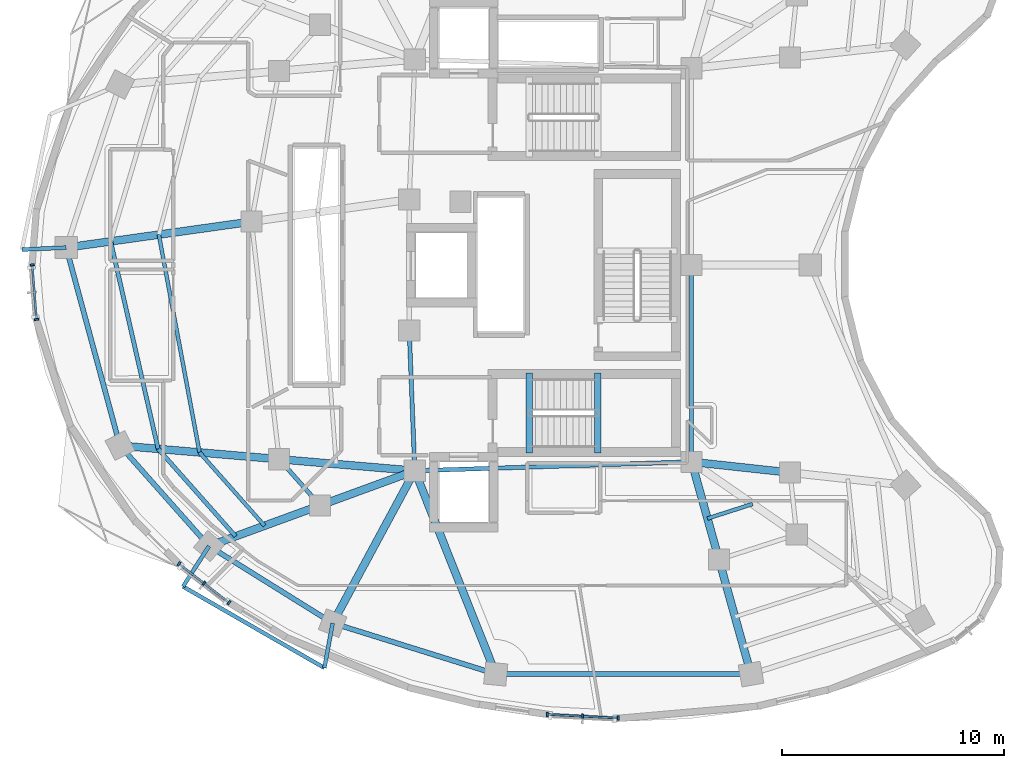
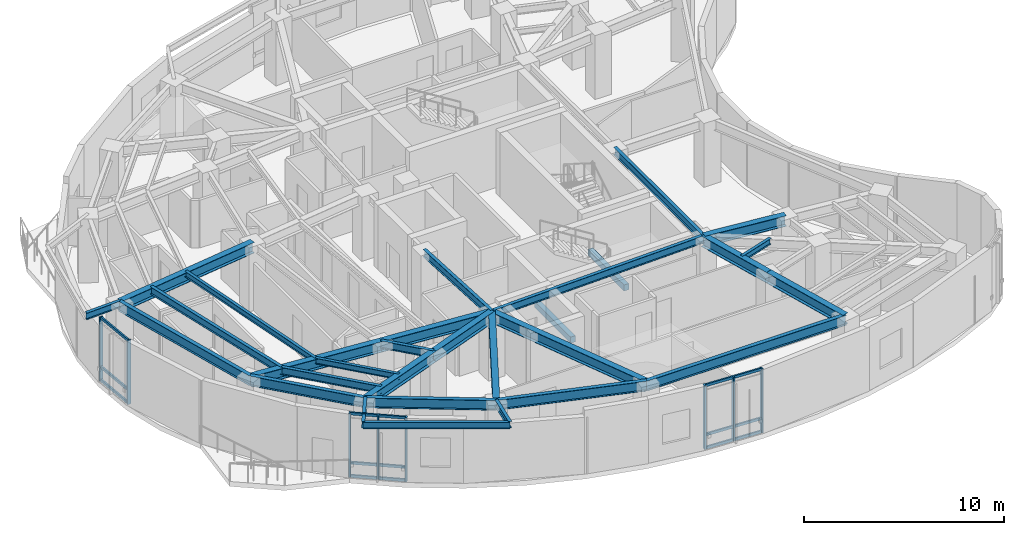
# One storey, part 2 of 13: 30 beams, 23 members, 3 elements without a shape of their own.
"""IFC4 building model written with IfcOpenShell, lengths in metres."""

from ifc_helpers import new_model, si_unit, direction, frame, origin, origin_2d, place, context, subcontext, project, spatial, rectangle, i_section, extrude, material, layer, layer_set, material_profile, profile_set, type_object, element, aggregate, save


model = new_model("IFC4")

# Units and contexts
model_context = context("Model", 3, precision=1e-05, world=origin(), true_north=direction((0.0, 1.0)))
body_context = subcontext(model_context, "Body", "Model", "MODEL_VIEW")
ifc_project = project(units=[si_unit("LENGTHUNIT", "METRE"), si_unit("AREAUNIT", "SQUARE_METRE"), si_unit("VOLUMEUNIT", "CUBIC_METRE"), si_unit("PLANEANGLEUNIT", "RADIAN"), si_unit("MASSUNIT", "GRAM", prefix="KILO")], contexts=[model_context])

# Site, building, storey
site_placement = place(None, origin())
site = spatial("IfcSite", under=ifc_project, at=site_placement, CompositionType="ELEMENT")
building_placement = place(site_placement, origin())
building = spatial("IfcBuilding", under=site, at=building_placement, Name="Korentha Bioscience Tower", CompositionType="ELEMENT")
storey_placement = place(building_placement, frame((0.0, 0.0, 183.60009765625)))
storey = spatial("IfcBuildingStorey", under=building, at=storey_placement, Name="L42", CompositionType="ELEMENT", Elevation=183.60009765625)

# Beams
ifc_material_1 = material(Name="Concrete C50", Category="concrete")
ifc_material_profile_1 = material_profile(ifc_material_1, rectangle(XDim=0.280029296875, YDim=0.3798828125, at=origin_2d()), Name="Concrete C50")
ifc_profile_set_1 = profile_set([ifc_material_profile_1], Name="Concrete C50 (ST-HB380)")
beam_type_1 = type_object("IfcBeamType", Name="Concrete Stair Header Beam RC 280x380", PredefinedType="BEAM", material=ifc_profile_set_1)
for number, where, z_axis, x_axis, name in (
    (1, (30.25, 18.550048828125, -0.190185546875), (0.0, 1.0, 0.0), (-1.0, 0.0, 0.0), "L42 ST-2 Concrete Stair Header Beam"),
    (2, (33.330078125, 18.550048828125, 1.909912109375), (0.0, 1.0, 0.0), (-1.0, 0.0, 0.0), "L42 ST-2 Half-Landing Header Beam 1"),
):
    element("IfcBeam", number, at=place(storey_placement, frame(where, z_axis=z_axis, x_axis=x_axis)), inside=storey, type_object=beam_type_1, Name=name, PredefinedType="BEAM", context=body_context, shape_type="SweptSolid", body=[
        extrude(rectangle(XDim=0.280029296875, YDim=0.3798828125, at=origin_2d()), origin(), (0.0, 0.0, 1.0), 3.599853515625),
    ])
ifc_material_2 = material(Name="Steel S355", Category="steel")
ifc_material_profile_2 = material_profile(ifc_material_2, i_section(OverallWidth=0.18994140625, OverallDepth=0.45703125, WebThickness=0.009033203125, FlangeThickness=0.014404296875, at=origin_2d()), Name="Steel S355")
ifc_profile_set_2 = profile_set([ifc_material_profile_2], Name="Steel S355 (MB-460)")
beam_type_2 = type_object("IfcBeamType", Name="Mid-Ring Tie Girder W460x74", PredefinedType="BEAM", material=ifc_profile_set_2)
beam_1_placement = place(storey_placement, frame((18.99951171875, 18.27001953125, 3.67138671875), z_axis=(0.663512238321, -0.748165429299, 0.0), x_axis=(0.748165429299, 0.663512238321, 0.0)))
element("IfcBeam", 3, at=beam_1_placement, inside=storey, type_object=beam_type_2, Name="L42 Mid-Ring Tie Girder 08", PredefinedType="BEAM", context=body_context, shape_type="SweptSolid", body=[
    extrude(i_section(OverallWidth=0.18994140625, OverallDepth=0.45703125, WebThickness=0.009033203125, FlangeThickness=0.014404296875, at=origin_2d()), origin(), (0.0, 0.0, 1.0), 2.77734375),
])
beam_2_placement = place(storey_placement, frame((24.85009765625, 24.050048828125, 3.67138671875), z_axis=(0.039651025576, -0.999213588864, 0.0), x_axis=(0.999213588864, 0.039651025576, 0.0)))
element("IfcBeam", 4, at=beam_2_placement, inside=storey, type_object=beam_type_2, Name="L42 Core Ring Tie Girder 04", PredefinedType="BEAM", context=body_context, shape_type="SweptSolid", body=[
    extrude(i_section(OverallWidth=0.18994140625, OverallDepth=0.45703125, WebThickness=0.009033203125, FlangeThickness=0.014404296875, at=origin_2d()), origin(), (0.0, 0.0, 1.0), 6.304931640625),
])
beam_3_placement = place(storey_placement, frame((25.10009765625, 17.75, 3.67138671875), z_axis=(0.999484526071, 0.032104238723, 0.0), x_axis=(-0.032104238723, 0.999484526071, 0.0)))
element("IfcBeam", 5, at=beam_3_placement, inside=storey, type_object=beam_type_2, Name="L42 Core Ring Tie Girder 05", PredefinedType="BEAM", context=body_context, shape_type="SweptSolid", body=[
    extrude(i_section(OverallWidth=0.18994140625, OverallDepth=0.45703125, WebThickness=0.009033203125, FlangeThickness=0.014404296875, at=origin_2d()), origin(), (0.0, 0.0, 1.0), 12.456298828125),
])
beam_4_placement = place(storey_placement, frame((37.550048828125, 18.14990234375, 3.67138671875), z_axis=(0.0, 1.0, 0.0), x_axis=(-1.0, 0.0, 0.0)))
element("IfcBeam", 6, at=beam_4_placement, inside=storey, type_object=beam_type_2, Name="L42 Core Ring Tie Girder 06", PredefinedType="BEAM", context=body_context, shape_type="SweptSolid", body=[
    extrude(i_section(OverallWidth=0.18994140625, OverallDepth=0.45703125, WebThickness=0.009033203125, FlangeThickness=0.014404296875, at=origin_2d()), origin(), (0.0, 0.0, 1.0), 8.85009765625),
])

# Curtain wall, members
ifc_material_3 = material(Name="Thermally Broken Aluminium Frame", Category="aluminium")
ifc_layer = layer(ifc_material_3, 0.219970703125, Name="Thermally Broken Aluminium Frame")
ifc_layer_set = layer_set([ifc_layer], Name="Thermally Broken Aluminium Frame (CW-T2)")
curtain_wall_type = type_object("IfcCurtainWallType", Name="Solar-Screened Lab Unitised Curtain Wall CW-T2", PredefinedType="USERDEFINED", material=ifc_layer_set)
curtain_wall_1_placement = place(storey_placement, origin())
curtain_wall_1 = element("IfcCurtainWall", 7, at=curtain_wall_1_placement, inside=storey, type_object=curtain_wall_type, Name="L42 Curtain Wall 19", ObjectType="UNITISED", PredefinedType="USERDEFINED")
ifc_material_4 = material(Name="Anodised Aluminium 6063-T6", Category="aluminium")
ifc_material_profile_3 = material_profile(ifc_material_4, rectangle(XDim=0.090087890625, YDim=0.199951171875, at=origin_2d()), Name="Anodised Aluminium 6063-T6")
ifc_profile_set_3 = profile_set([ifc_material_profile_3], Name="Anodised Aluminium 6063-T6 (CW-MUL)")
member_type_1 = type_object("IfcMemberType", Name="Mullion RECT 90x200", PredefinedType="MULLION", material=ifc_profile_set_3)
member_1_placement = place(storey_placement, frame((7.89599609375, 27.007568359375, 0.0), z_axis=(0.0, 0.0, 1.0), x_axis=(0.078030772566, -0.996950950916, 0.0)))
member_1 = element("IfcMember", 8, at=member_1_placement, type_object=member_type_1, Name="CW-L42-19 Mullion 1", PredefinedType="MULLION", context=body_context, shape_type="SweptSolid", body=[
    extrude(rectangle(XDim=0.090087890625, YDim=0.199951171875, at=origin_2d()), origin(), (0.0, 0.0, 1.0), 3.89990234375),
])
member_2_placement = place(storey_placement, frame((8.087890625, 24.5546875, 0.0), z_axis=(0.0, 0.0, 1.0), x_axis=(0.078030772566, -0.996950950916, 0.0)))
member_2 = element("IfcMember", 9, at=member_2_placement, type_object=member_type_1, Name="CW-L42-19 Mullion 2", PredefinedType="MULLION", context=body_context, shape_type="SweptSolid", body=[
    extrude(rectangle(XDim=0.090087890625, YDim=0.199951171875, at=origin_2d()), origin(), (0.0, 0.0, 1.0), 3.89990234375),
])

curtain_wall_2_placement = place(storey_placement, origin())
curtain_wall_2 = element("IfcCurtainWall", 10, at=curtain_wall_2_placement, inside=storey, type_object=curtain_wall_type, Name="L42 Curtain Wall 25", ObjectType="UNITISED", PredefinedType="USERDEFINED")
member_3_placement = place(storey_placement, frame((14.492431640625, 13.563232421875, 0.0), z_axis=(0.0, 0.0, 1.0), x_axis=(0.790546796919, -0.612401634454, 0.0)))
member_3 = element("IfcMember", 11, at=member_3_placement, type_object=member_type_1, Name="CW-L42-25 Mullion 1", PredefinedType="MULLION", context=body_context, shape_type="SweptSolid", body=[
    extrude(rectangle(XDim=0.090087890625, YDim=0.199951171875, at=origin_2d()), origin(), (0.0, 0.0, 1.0), 3.89990234375),
])
member_4_placement = place(storey_placement, frame((15.618896484375, 12.690673828125, 0.0), z_axis=(0.0, 0.0, 1.0), x_axis=(0.790546796919, -0.612401634454, 0.0)))
member_4 = element("IfcMember", 12, at=member_4_placement, type_object=member_type_1, Name="CW-L42-25 Mullion 2", PredefinedType="MULLION", context=body_context, shape_type="SweptSolid", body=[
    extrude(rectangle(XDim=0.090087890625, YDim=0.199951171875, at=origin_2d()), origin(), (0.0, 0.0, 1.0), 3.89990234375),
])
member_5_placement = place(storey_placement, frame((16.745361328125, 11.818115234375, 0.0), z_axis=(0.0, 0.0, 1.0), x_axis=(0.790546796919, -0.612401634454, 0.0)))
member_5 = element("IfcMember", 13, at=member_5_placement, type_object=member_type_1, Name="CW-L42-25 Mullion 3", PredefinedType="MULLION", context=body_context, shape_type="SweptSolid", body=[
    extrude(rectangle(XDim=0.090087890625, YDim=0.199951171875, at=origin_2d()), origin(), (0.0, 0.0, 1.0), 3.89990234375),
])

curtain_wall_3_placement = place(storey_placement, origin())
curtain_wall_3 = element("IfcCurtainWall", 14, at=curtain_wall_3_placement, inside=storey, type_object=curtain_wall_type, Name="L42 Curtain Wall 31", ObjectType="UNITISED", PredefinedType="USERDEFINED")
member_6_placement = place(storey_placement, frame((31.0517578125, 6.79541015625, 0.0), z_axis=(0.0, 0.0, 1.0), x_axis=(0.998637677307, -0.052180355139, 0.0)))
member_6 = element("IfcMember", 15, at=member_6_placement, type_object=member_type_1, Name="CW-L42-31 Mullion 1", PredefinedType="MULLION", context=body_context, shape_type="SweptSolid", body=[
    extrude(rectangle(XDim=0.090087890625, YDim=0.199951171875, at=origin_2d()), origin(), (0.0, 0.0, 1.0), 3.89990234375),
])
member_7_placement = place(storey_placement, frame((32.64794921875, 6.7119140625, 0.0), z_axis=(0.0, 0.0, 1.0), x_axis=(0.998637677307, -0.052180355139, 0.0)))
member_7 = element("IfcMember", 16, at=member_7_placement, type_object=member_type_1, Name="CW-L42-31 Mullion 2", PredefinedType="MULLION", context=body_context, shape_type="SweptSolid", body=[
    extrude(rectangle(XDim=0.090087890625, YDim=0.199951171875, at=origin_2d()), origin(), (0.0, 0.0, 1.0), 3.89990234375),
])
member_8_placement = place(storey_placement, frame((34.244140625, 6.628662109375, 0.0), z_axis=(0.0, 0.0, 1.0), x_axis=(0.998637677307, -0.052180355139, 0.0)))
member_8 = element("IfcMember", 17, at=member_8_placement, type_object=member_type_1, Name="CW-L42-31 Mullion 3", PredefinedType="MULLION", context=body_context, shape_type="SweptSolid", body=[
    extrude(rectangle(XDim=0.090087890625, YDim=0.199951171875, at=origin_2d()), origin(), (0.0, 0.0, 1.0), 3.89990234375),
])

# Beams
ifc_material_profile_4 = material_profile(ifc_material_2, i_section(OverallWidth=0.22802734375, OverallDepth=0.60791015625, WebThickness=0.01123046875, FlangeThickness=0.017333984375, at=origin_2d()), Name="Steel S355")
ifc_profile_set_4 = profile_set([ifc_material_profile_4], Name="Steel S355 (SB-610)")
beam_type_3 = type_object("IfcBeamType", Name="Perimeter Ring Spandrel Girder W610x113", PredefinedType="SPANDREL", material=ifc_profile_set_4)
beam_5_placement = place(storey_placement, frame((9.422607421875, 27.785888671875, 3.595947265625), z_axis=(0.261762629829, -0.965132284003, 0.0), x_axis=(0.965132284003, 0.261762629829, 0.0)))
element("IfcBeam", 18, at=beam_5_placement, inside=storey, type_object=beam_type_3, Name="L42 Perimeter Spandrel Girder 07", PredefinedType="SPANDREL", context=body_context, shape_type="SweptSolid", body=[
    extrude(i_section(OverallWidth=0.22802734375, OverallDepth=0.60791015625, WebThickness=0.01123046875, FlangeThickness=0.017333984375, at=origin_2d()), origin(), (0.0, 0.0, 1.0), 9.22705078125),
])
beam_6_placement = place(storey_placement, frame((11.837890625, 18.880615234375, 3.595947265625), z_axis=(0.663502544942, -0.748174025782, 0.0), x_axis=(0.748174025782, 0.663502544942, 0.0)))
element("IfcBeam", 19, at=beam_6_placement, inside=storey, type_object=beam_type_3, Name="L42 Perimeter Spandrel Girder 08", PredefinedType="SPANDREL", context=body_context, shape_type="SweptSolid", body=[
    extrude(i_section(OverallWidth=0.22802734375, OverallDepth=0.60791015625, WebThickness=0.01123046875, FlangeThickness=0.017333984375, at=origin_2d()), origin(), (0.0, 0.0, 1.0), 6.037841796875),
])
beam_7_placement = place(storey_placement, frame((15.843994140625, 14.36328125, 3.595947265625), z_axis=(0.848675740059, -0.528913497876, 0.0), x_axis=(0.528913497876, 0.848675740059, 0.0)))
element("IfcBeam", 20, at=beam_7_placement, inside=storey, type_object=beam_type_3, Name="L42 Perimeter Spandrel Girder 09", PredefinedType="SPANDREL", context=body_context, shape_type="SweptSolid", body=[
    extrude(i_section(OverallWidth=0.22802734375, OverallDepth=0.60791015625, WebThickness=0.01123046875, FlangeThickness=0.017333984375, at=origin_2d()), origin(), (0.0, 0.0, 1.0), 6.55322265625),
])
beam_8_placement = place(storey_placement, frame((21.405517578125, 10.897216796875, 3.595947265625), z_axis=(0.954638172607, -0.29776829818, 0.0), x_axis=(0.29776829818, 0.954638172607, 0.0)))
element("IfcBeam", 21, at=beam_8_placement, inside=storey, type_object=beam_type_3, Name="L42 Perimeter Spandrel Girder 10", PredefinedType="SPANDREL", context=body_context, shape_type="SweptSolid", body=[
    extrude(i_section(OverallWidth=0.22802734375, OverallDepth=0.60791015625, WebThickness=0.01123046875, FlangeThickness=0.017333984375, at=origin_2d()), origin(), (0.0, 0.0, 1.0), 7.682373046875),
])
beam_9_placement = place(storey_placement, frame((28.739501953125, 8.609619140625, 3.595947265625), z_axis=(0.99999988041, -0.000489059883, 0.0), x_axis=(0.000489059883, 0.99999988041, 0.0)))
element("IfcBeam", 22, at=beam_9_placement, inside=storey, type_object=beam_type_3, Name="L42 Perimeter Spandrel Girder 11", PredefinedType="SPANDREL", context=body_context, shape_type="SweptSolid", body=[
    extrude(i_section(OverallWidth=0.22802734375, OverallDepth=0.60791015625, WebThickness=0.01123046875, FlangeThickness=0.017333984375, at=origin_2d()), origin(), (0.0, 0.0, 1.0), 11.481689453125),
])
ifc_material_profile_5 = material_profile(ifc_material_2, i_section(OverallWidth=0.18994140625, OverallDepth=0.45703125, WebThickness=0.009033203125, FlangeThickness=0.014404296875, at=origin_2d()), Name="Steel S355")
ifc_profile_set_5 = profile_set([ifc_material_profile_5], Name="Steel S355 (RB-460)")
beam_type_4 = type_object("IfcBeamType", Name="Radial Laboratory Beam W460x74", PredefinedType="BEAM", material=ifc_profile_set_5)
beam_10_placement = place(storey_placement, frame((11.421875, 28.06640625, 3.67138671875), z_axis=(0.222990987745, -0.974820506239, 0.0), x_axis=(0.974820506239, 0.222990987745, 0.0)))
element("IfcBeam", 23, at=beam_10_placement, inside=storey, type_object=beam_type_4, Name="L42 Secondary Floor Beam JSTO-07", PredefinedType="BEAM", context=body_context, shape_type="SweptSolid", body=[
    extrude(i_section(OverallWidth=0.18994140625, OverallDepth=0.45703125, WebThickness=0.009033203125, FlangeThickness=0.014404296875, at=origin_2d()), origin(), (0.0, 0.0, 1.0), 9.5732421875),
])
beam_11_placement = place(storey_placement, frame((13.556640625, 18.734130859375, 3.67138671875), z_axis=(0.663495511182, -0.748180263467, 0.0), x_axis=(0.748180263467, 0.663495511182, 0.0)))
element("IfcBeam", 24, at=beam_11_placement, inside=storey, type_object=beam_type_4, Name="L42 Secondary Floor Beam JSTO-08", PredefinedType="BEAM", context=body_context, shape_type="SweptSolid", body=[
    extrude(i_section(OverallWidth=0.18994140625, OverallDepth=0.45703125, WebThickness=0.009033203125, FlangeThickness=0.014404296875, at=origin_2d()), origin(), (0.0, 0.0, 1.0), 5.255615234375),
])
ifc_material_profile_6 = material_profile(ifc_material_2, i_section(OverallWidth=0.35009765625, OverallDepth=0.64990234375, WebThickness=0.01611328125, FlangeThickness=0.02490234375, at=origin_2d()), Name="Steel S355")
ifc_profile_set_6 = profile_set([ifc_material_profile_6], Name="Steel S355 (RB-650)")
beam_type_5 = type_object("IfcBeamType", Name="Radial Laboratory Girder CVS 650x208", PredefinedType="BEAM", material=ifc_profile_set_6)
beam_12_placement = place(storey_placement, frame((17.75341796875, 28.95458984375, 3.574951171875), z_axis=(-0.990302735089, -0.138926213782, 0.0), x_axis=(0.138926213782, -0.990302735089, 0.0)))
element("IfcBeam", 25, at=beam_12_placement, inside=storey, type_object=beam_type_5, Name="L42 Outer Radial Girder 07", PredefinedType="BEAM", context=body_context, shape_type="SweptSolid", body=[
    extrude(i_section(OverallWidth=0.35009765625, OverallDepth=0.64990234375, WebThickness=0.01611328125, FlangeThickness=0.02490234375, at=origin_2d()), origin(), (0.0, 0.0, 1.0), 8.412353515625),
])
beam_13_placement = place(storey_placement, frame((25.10009765625, 17.75, 3.574951171875), z_axis=(-0.996386672138, 0.084932912264, 0.0), x_axis=(-0.084932912264, -0.996386672138, 0.0)))
element("IfcBeam", 26, at=beam_13_placement, inside=storey, type_object=beam_type_5, Name="L42 Inner Radial Girder 08", PredefinedType="BEAM", context=body_context, shape_type="SweptSolid", body=[
    extrude(i_section(OverallWidth=0.35009765625, OverallDepth=0.64990234375, WebThickness=0.01611328125, FlangeThickness=0.02490234375, at=origin_2d()), origin(), (0.0, 0.0, 1.0), 6.122802734375),
])
beam_14_placement = place(storey_placement, frame((18.99951171875, 18.27001953125, 3.574951171875), z_axis=(-0.996385111181, 0.084951222577, 0.0), x_axis=(-0.084951222577, -0.996385111181, 0.0)))
element("IfcBeam", 27, at=beam_14_placement, inside=storey, type_object=beam_type_5, Name="L42 Outer Radial Girder 08", PredefinedType="BEAM", context=body_context, shape_type="SweptSolid", body=[
    extrude(i_section(OverallWidth=0.35009765625, OverallDepth=0.64990234375, WebThickness=0.01611328125, FlangeThickness=0.02490234375, at=origin_2d()), origin(), (0.0, 0.0, 1.0), 7.1875),
])
beam_15_placement = place(storey_placement, frame((25.10009765625, 17.75, 3.574951171875), z_axis=(-0.939113952431, -0.343605856105, 0.0), x_axis=(0.343605856105, -0.939113952431, 0.0)))
element("IfcBeam", 28, at=beam_15_placement, inside=storey, type_object=beam_type_5, Name="L42 Inner Radial Girder 09", PredefinedType="BEAM", context=body_context, shape_type="SweptSolid", body=[
    extrude(i_section(OverallWidth=0.35009765625, OverallDepth=0.64990234375, WebThickness=0.01611328125, FlangeThickness=0.02490234375, at=origin_2d()), origin(), (0.0, 0.0, 1.0), 4.533935546875),
])
beam_16_placement = place(storey_placement, frame((20.84228515625, 16.192138671875, 3.574951171875), z_axis=(-0.939109855566, -0.343617053097, 0.0), x_axis=(0.343617053097, -0.939109855566, 0.0)))
element("IfcBeam", 29, at=beam_16_placement, inside=storey, type_object=beam_type_5, Name="L42 Outer Radial Girder 09", PredefinedType="BEAM", context=body_context, shape_type="SweptSolid", body=[
    extrude(i_section(OverallWidth=0.35009765625, OverallDepth=0.64990234375, WebThickness=0.01611328125, FlangeThickness=0.02490234375, at=origin_2d()), origin(), (0.0, 0.0, 1.0), 5.322265625),
])
beam_17_placement = place(storey_placement, frame((25.10009765625, 17.75, 3.574951171875), z_axis=(-0.474559790141, -0.880223270302, 0.0), x_axis=(0.880223270302, -0.474559790141, 0.0)))
element("IfcBeam", 30, at=beam_17_placement, inside=storey, type_object=beam_type_5, Name="L42 Radial Girder 10", PredefinedType="BEAM", context=body_context, shape_type="SweptSolid", body=[
    extrude(i_section(OverallWidth=0.35009765625, OverallDepth=0.64990234375, WebThickness=0.01611328125, FlangeThickness=0.02490234375, at=origin_2d()), origin(), (0.0, 0.0, 1.0), 7.785400390625),
])
beam_18_placement = place(storey_placement, frame((25.10009765625, 17.75, 3.574951171875), z_axis=(0.369922682955, -0.929062542909, 0.0), x_axis=(0.929062542909, 0.369922682955, 0.0)))
element("IfcBeam", 31, at=beam_18_placement, inside=storey, type_object=beam_type_5, Name="L42 Radial Girder 11", PredefinedType="BEAM", context=body_context, shape_type="SweptSolid", body=[
    extrude(i_section(OverallWidth=0.35009765625, OverallDepth=0.64990234375, WebThickness=0.01611328125, FlangeThickness=0.02490234375, at=origin_2d()), origin(), (0.0, 0.0, 1.0), 9.83837890625),
])
beam_19_placement = place(storey_placement, frame((37.550048828125, 18.14990234375, 3.574951171875), z_axis=(0.269477001654, -0.963006825303, 0.0), x_axis=(0.963006825303, 0.269477001654, 0.0)))
element("IfcBeam", 32, at=beam_19_placement, inside=storey, type_object=beam_type_5, Name="L42 Inner Radial Girder 12", PredefinedType="BEAM", context=body_context, shape_type="SweptSolid", body=[
    extrude(i_section(OverallWidth=0.35009765625, OverallDepth=0.64990234375, WebThickness=0.01611328125, FlangeThickness=0.02490234375, at=origin_2d()), origin(), (0.0, 0.0, 1.0), 4.559814453125),
])
beam_20_placement = place(storey_placement, frame((38.77880859375, 13.7587890625, 3.574951171875), z_axis=(0.269464128344, -0.963010427532, 0.0), x_axis=(0.963010427532, 0.269464128344, 0.0)))
element("IfcBeam", 33, at=beam_20_placement, inside=storey, type_object=beam_type_5, Name="L42 Outer Radial Girder 12", PredefinedType="BEAM", context=body_context, shape_type="SweptSolid", body=[
    extrude(i_section(OverallWidth=0.35009765625, OverallDepth=0.64990234375, WebThickness=0.01611328125, FlangeThickness=0.02490234375, at=origin_2d()), origin(), (0.0, 0.0, 1.0), 5.352783203125),
])
beam_21_placement = place(storey_placement, frame((37.550048828125, 18.14990234375, 3.574951171875), z_axis=(0.994118939953, -0.108293735857, 0.0), x_axis=(0.108293735857, 0.994118939953, 0.0)))
element("IfcBeam", 34, at=beam_21_placement, inside=storey, type_object=beam_type_5, Name="L42 Inner Radial Girder 14", PredefinedType="BEAM", context=body_context, shape_type="SweptSolid", body=[
    extrude(i_section(OverallWidth=0.35009765625, OverallDepth=0.64990234375, WebThickness=0.01611328125, FlangeThickness=0.02490234375, at=origin_2d()), origin(), (0.0, 0.0, 1.0), 4.4501953125),
])
ifc_material_profile_7 = material_profile(ifc_material_2, i_section(OverallWidth=0.1708984375, OverallDepth=0.35498046875, WebThickness=0.007080078125, FlangeThickness=0.01171875, at=origin_2d()), Name="Steel S355")
ifc_profile_set_7 = profile_set([ifc_material_profile_7], Name="Steel S355 (JB-360)")
beam_type_6 = type_object("IfcBeamType", Name="Secondary Laboratory Joist W360x51", PredefinedType="JOIST", material=ifc_profile_set_7)
beam_22_placement = place(storey_placement, frame((13.587890625, 28.3701171875, 3.722412109375), z_axis=(0.183736713841, -0.982975493076, 0.0), x_axis=(0.982975493076, 0.183736713841, 0.0)))
element("IfcBeam", 35, at=beam_22_placement, inside=storey, type_object=beam_type_6, Name="L42 Secondary Floor Beam JST-07", PredefinedType="JOIST", context=body_context, shape_type="SweptSolid", body=[
    extrude(i_section(OverallWidth=0.1708984375, OverallDepth=0.35498046875, WebThickness=0.007080078125, FlangeThickness=0.01171875, at=origin_2d()), origin(), (0.0, 0.0, 1.0), 9.96435546875),
])
beam_23_placement = place(storey_placement, frame((15.418701171875, 18.575439453125, 3.722412109375), z_axis=(0.663462598754, -0.748209449322, 0.0), x_axis=(0.748209449322, 0.663462598754, 0.0)))
element("IfcBeam", 36, at=beam_23_placement, inside=storey, type_object=beam_type_6, Name="L42 Secondary Floor Beam JST-08", PredefinedType="JOIST", context=body_context, shape_type="SweptSolid", body=[
    extrude(i_section(OverallWidth=0.1708984375, OverallDepth=0.35498046875, WebThickness=0.007080078125, FlangeThickness=0.01171875, at=origin_2d()), origin(), (0.0, 0.0, 1.0), 4.40771484375),
])
beam_24_placement = place(storey_placement, frame((38.2626953125, 15.60302734375, 3.722412109375), z_axis=(0.952010669267, 0.306064838885, 0.0), x_axis=(-0.306064838885, 0.952010669267, 0.0)))
element("IfcBeam", 37, at=beam_24_placement, inside=storey, type_object=beam_type_6, Name="L42 Inner Bay Joist 12", PredefinedType="JOIST", context=body_context, shape_type="SweptSolid", body=[
    extrude(i_section(OverallWidth=0.1708984375, OverallDepth=0.35498046875, WebThickness=0.007080078125, FlangeThickness=0.01171875, at=origin_2d()), origin(), (0.0, 0.0, 1.0), 2.1298828125),
])
ifc_material_profile_8 = material_profile(ifc_material_2, i_section(OverallWidth=0.177978515625, OverallDepth=0.406982421875, WebThickness=0.0078125, FlangeThickness=0.0126953125, at=origin_2d()), Name="Steel S355")
ifc_profile_set_8 = profile_set([ifc_material_profile_8], Name="Steel S355 (CB-410)")
beam_type_7 = type_object("IfcBeamType", Name="Sun-Ledge Cantilever Beam W410x60", PredefinedType="BEAM", material=ifc_profile_set_8)
beam_25_placement = place(storey_placement, frame((9.422607421875, 27.785888671875, 3.698486328125), z_axis=(-0.999054077137, -0.043485065888, 0.0), x_axis=(0.043485065888, -0.999054077137, 0.0)))
element("IfcBeam", 38, at=beam_25_placement, inside=storey, type_object=beam_type_7, Name="L42 Balcony Cantilever Bracket B-L43-02", PredefinedType="BEAM", context=body_context, shape_type="SweptSolid", body=[
    extrude(i_section(OverallWidth=0.177978515625, OverallDepth=0.406982421875, WebThickness=0.0078125, FlangeThickness=0.0126953125, at=origin_2d()), origin(), (0.0, 0.0, 1.0), 1.9931640625),
])
beam_26_placement = place(storey_placement, frame((15.843994140625, 14.36328125, 3.698486328125), z_axis=(-0.539815865489, -0.841783126088, 0.0), x_axis=(0.841783126088, -0.539815865489, 0.0)))
element("IfcBeam", 39, at=beam_26_placement, inside=storey, type_object=beam_type_7, Name="L42 Balcony Cantilever Bracket A-L43-03", PredefinedType="BEAM", context=body_context, shape_type="SweptSolid", body=[
    extrude(i_section(OverallWidth=0.177978515625, OverallDepth=0.406982421875, WebThickness=0.0078125, FlangeThickness=0.0126953125, at=origin_2d()), origin(), (0.0, 0.0, 1.0), 2.162841796875),
])
beam_27_placement = place(storey_placement, frame((21.405517578125, 10.897216796875, 3.698486328125), z_axis=(-0.181098705445, -0.983464925092, 0.0), x_axis=(0.983464925092, -0.181098705445, 0.0)))
element("IfcBeam", 40, at=beam_27_placement, inside=storey, type_object=beam_type_7, Name="L42 Balcony Cantilever Bracket B-L43-03", PredefinedType="BEAM", context=body_context, shape_type="SweptSolid", body=[
    extrude(i_section(OverallWidth=0.177978515625, OverallDepth=0.406982421875, WebThickness=0.0078125, FlangeThickness=0.0126953125, at=origin_2d()), origin(), (0.0, 0.0, 1.0), 2.0478515625),
])
beam_28_placement = place(storey_placement, frame((14.676513671875, 12.542724609375, 3.698486328125), z_axis=(0.866700940133, -0.49882810704, 0.0), x_axis=(0.49882810704, 0.866700940133, 0.0)))
element("IfcBeam", 41, at=beam_28_placement, inside=storey, type_object=beam_type_7, Name="L42 Balcony Edge Trimmer Beam L43-03", PredefinedType="BEAM", context=body_context, shape_type="SweptSolid", body=[
    extrude(i_section(OverallWidth=0.177978515625, OverallDepth=0.406982421875, WebThickness=0.0078125, FlangeThickness=0.0126953125, at=origin_2d()), origin(), (0.0, 0.0, 1.0), 7.3359375),
])

# Member
ifc_material_profile_9 = material_profile(ifc_material_4, rectangle(XDim=0.090087890625, YDim=0.159912109375, at=origin_2d()), Name="Anodised Aluminium 6063-T6")
ifc_profile_set_9 = profile_set([ifc_material_profile_9], Name="Anodised Aluminium 6063-T6 (CW-TRN)")
member_type_2 = type_object("IfcMemberType", Name="Transom RECT 90x160", PredefinedType="USERDEFINED", material=ifc_profile_set_9)
member_9_placement = place(storey_placement, frame((7.8994140625, 26.962646484375, 0.044921875), z_axis=(0.078074822466, -0.996947502177, 0.0), x_axis=(0.996947502177, 0.078074822466, 0.0)))
member_9 = element("IfcMember", 42, at=member_9_placement, type_object=member_type_2, Name="CW-L42-19 Bay 1 Transom 1", ObjectType="TRANSOM", PredefinedType="USERDEFINED", context=body_context, shape_type="SweptSolid", body=[
    extrude(rectangle(XDim=0.090087890625, YDim=0.159912109375, at=origin_2d()), origin(), (0.0, 0.0, 1.0), 2.370361328125),
])

member_10_placement = place(storey_placement, frame((7.8994140625, 26.962646484375, 0.849853515625), z_axis=(0.078074822466, -0.996947502177, 0.0), x_axis=(0.996947502177, 0.078074822466, 0.0)))
member_10 = element("IfcMember", 43, at=member_10_placement, type_object=member_type_2, Name="CW-L42-19 Bay 1 Transom 2", ObjectType="TRANSOM", PredefinedType="USERDEFINED", context=body_context, shape_type="SweptSolid", body=[
    extrude(rectangle(XDim=0.090087890625, YDim=0.159912109375, at=origin_2d()), origin(), (0.0, 0.0, 1.0), 2.370361328125),
])

member_11_placement = place(storey_placement, frame((7.8994140625, 26.962646484375, 3.85498046875), z_axis=(0.078074822466, -0.996947502177, 0.0), x_axis=(0.996947502177, 0.078074822466, 0.0)))
member_11 = element("IfcMember", 44, at=member_11_placement, type_object=member_type_2, Name="CW-L42-19 Bay 1 Transom 3", ObjectType="TRANSOM", PredefinedType="USERDEFINED", context=body_context, shape_type="SweptSolid", body=[
    extrude(rectangle(XDim=0.090087890625, YDim=0.159912109375, at=origin_2d()), origin(), (0.0, 0.0, 1.0), 2.370361328125),
])

aggregate(curtain_wall_1, [member_1, member_2, member_9, member_10, member_11])

member_12_placement = place(storey_placement, frame((14.528076171875, 13.535888671875, 0.044921875), z_axis=(0.790463754503, -0.612508818563, 0.0), x_axis=(0.612508818563, 0.790463754503, 0.0)))
member_12 = element("IfcMember", 45, at=member_12_placement, type_object=member_type_2, Name="CW-L42-25 Bay 1 Transom 1", ObjectType="TRANSOM", PredefinedType="USERDEFINED", context=body_context, shape_type="SweptSolid", body=[
    extrude(rectangle(XDim=0.090087890625, YDim=0.159912109375, at=origin_2d()), origin(), (0.0, 0.0, 1.0), 1.3349609375),
])

member_13_placement = place(storey_placement, frame((14.528076171875, 13.535888671875, 0.849853515625), z_axis=(0.790463754503, -0.612508818563, 0.0), x_axis=(0.612508818563, 0.790463754503, 0.0)))
member_13 = element("IfcMember", 46, at=member_13_placement, type_object=member_type_2, Name="CW-L42-25 Bay 1 Transom 2", ObjectType="TRANSOM", PredefinedType="USERDEFINED", context=body_context, shape_type="SweptSolid", body=[
    extrude(rectangle(XDim=0.090087890625, YDim=0.159912109375, at=origin_2d()), origin(), (0.0, 0.0, 1.0), 1.3349609375),
])

member_14_placement = place(storey_placement, frame((14.528076171875, 13.535888671875, 3.85498046875), z_axis=(0.790463754503, -0.612508818563, 0.0), x_axis=(0.612508818563, 0.790463754503, 0.0)))
member_14 = element("IfcMember", 47, at=member_14_placement, type_object=member_type_2, Name="CW-L42-25 Bay 1 Transom 3", ObjectType="TRANSOM", PredefinedType="USERDEFINED", context=body_context, shape_type="SweptSolid", body=[
    extrude(rectangle(XDim=0.090087890625, YDim=0.159912109375, at=origin_2d()), origin(), (0.0, 0.0, 1.0), 1.3349609375),
])

member_15_placement = place(storey_placement, frame((15.654541015625, 12.6630859375, 0.044921875), z_axis=(0.79055230676, -0.612394521756, 0.0), x_axis=(0.612394521756, 0.79055230676, 0.0)))
member_15 = element("IfcMember", 48, at=member_15_placement, type_object=member_type_2, Name="CW-L42-25 Bay 2 Transom 1", ObjectType="TRANSOM", PredefinedType="USERDEFINED", context=body_context, shape_type="SweptSolid", body=[
    extrude(rectangle(XDim=0.090087890625, YDim=0.159912109375, at=origin_2d()), origin(), (0.0, 0.0, 1.0), 1.334716796875),
])

member_16_placement = place(storey_placement, frame((15.654541015625, 12.6630859375, 0.849853515625), z_axis=(0.79055230676, -0.612394521756, 0.0), x_axis=(0.612394521756, 0.79055230676, 0.0)))
member_16 = element("IfcMember", 49, at=member_16_placement, type_object=member_type_2, Name="CW-L42-25 Bay 2 Transom 2", ObjectType="TRANSOM", PredefinedType="USERDEFINED", context=body_context, shape_type="SweptSolid", body=[
    extrude(rectangle(XDim=0.090087890625, YDim=0.159912109375, at=origin_2d()), origin(), (0.0, 0.0, 1.0), 1.334716796875),
])

member_17_placement = place(storey_placement, frame((15.654541015625, 12.6630859375, 3.85498046875), z_axis=(0.79055230676, -0.612394521756, 0.0), x_axis=(0.612394521756, 0.79055230676, 0.0)))
member_17 = element("IfcMember", 50, at=member_17_placement, type_object=member_type_2, Name="CW-L42-25 Bay 2 Transom 3", ObjectType="TRANSOM", PredefinedType="USERDEFINED", context=body_context, shape_type="SweptSolid", body=[
    extrude(rectangle(XDim=0.090087890625, YDim=0.159912109375, at=origin_2d()), origin(), (0.0, 0.0, 1.0), 1.334716796875),
])

aggregate(curtain_wall_2, [member_3, member_4, member_5, member_12, member_13, member_14, member_15, member_16, member_17])

member_18_placement = place(storey_placement, frame((31.0966796875, 6.793212890625, 0.044921875), z_axis=(0.998632544532, -0.052278494633, 0.0), x_axis=(0.052278494633, 0.998632544532, 0.0)))
member_18 = element("IfcMember", 51, at=member_18_placement, type_object=member_type_2, Name="CW-L42-31 Bay 1 Transom 1", ObjectType="TRANSOM", PredefinedType="USERDEFINED", context=body_context, shape_type="SweptSolid", body=[
    extrude(rectangle(XDim=0.090087890625, YDim=0.159912109375, at=origin_2d()), origin(), (0.0, 0.0, 1.0), 1.50830078125),
])

member_19_placement = place(storey_placement, frame((31.0966796875, 6.793212890625, 0.849853515625), z_axis=(0.998632544532, -0.052278494633, 0.0), x_axis=(0.052278494633, 0.998632544532, 0.0)))
member_19 = element("IfcMember", 52, at=member_19_placement, type_object=member_type_2, Name="CW-L42-31 Bay 1 Transom 2", ObjectType="TRANSOM", PredefinedType="USERDEFINED", context=body_context, shape_type="SweptSolid", body=[
    extrude(rectangle(XDim=0.090087890625, YDim=0.159912109375, at=origin_2d()), origin(), (0.0, 0.0, 1.0), 1.50830078125),
])

member_20_placement = place(storey_placement, frame((31.0966796875, 6.793212890625, 3.85498046875), z_axis=(0.998632544532, -0.052278494633, 0.0), x_axis=(0.052278494633, 0.998632544532, 0.0)))
member_20 = element("IfcMember", 53, at=member_20_placement, type_object=member_type_2, Name="CW-L42-31 Bay 1 Transom 3", ObjectType="TRANSOM", PredefinedType="USERDEFINED", context=body_context, shape_type="SweptSolid", body=[
    extrude(rectangle(XDim=0.090087890625, YDim=0.159912109375, at=origin_2d()), origin(), (0.0, 0.0, 1.0), 1.50830078125),
])

member_21_placement = place(storey_placement, frame((32.69287109375, 6.709716796875, 0.044921875), z_axis=(0.998640981416, -0.052117082012, 0.0), x_axis=(0.052117082012, 0.998640981416, 0.0)))
member_21 = element("IfcMember", 54, at=member_21_placement, type_object=member_type_2, Name="CW-L42-31 Bay 2 Transom 1", ObjectType="TRANSOM", PredefinedType="USERDEFINED", context=body_context, shape_type="SweptSolid", body=[
    extrude(rectangle(XDim=0.090087890625, YDim=0.159912109375, at=origin_2d()), origin(), (0.0, 0.0, 1.0), 1.50830078125),
])

member_22_placement = place(storey_placement, frame((32.69287109375, 6.709716796875, 0.849853515625), z_axis=(0.998640981416, -0.052117082012, 0.0), x_axis=(0.052117082012, 0.998640981416, 0.0)))
member_22 = element("IfcMember", 55, at=member_22_placement, type_object=member_type_2, Name="CW-L42-31 Bay 2 Transom 2", ObjectType="TRANSOM", PredefinedType="USERDEFINED", context=body_context, shape_type="SweptSolid", body=[
    extrude(rectangle(XDim=0.090087890625, YDim=0.159912109375, at=origin_2d()), origin(), (0.0, 0.0, 1.0), 1.50830078125),
])

member_23_placement = place(storey_placement, frame((32.69287109375, 6.709716796875, 3.85498046875), z_axis=(0.998640981416, -0.052117082012, 0.0), x_axis=(0.052117082012, 0.998640981416, 0.0)))
member_23 = element("IfcMember", 56, at=member_23_placement, type_object=member_type_2, Name="CW-L42-31 Bay 2 Transom 3", ObjectType="TRANSOM", PredefinedType="USERDEFINED", context=body_context, shape_type="SweptSolid", body=[
    extrude(rectangle(XDim=0.090087890625, YDim=0.159912109375, at=origin_2d()), origin(), (0.0, 0.0, 1.0), 1.50830078125),
])

aggregate(curtain_wall_3, [member_6, member_7, member_8, member_18, member_19, member_20, member_21, member_22, member_23])

save(model, "model.ifc")
